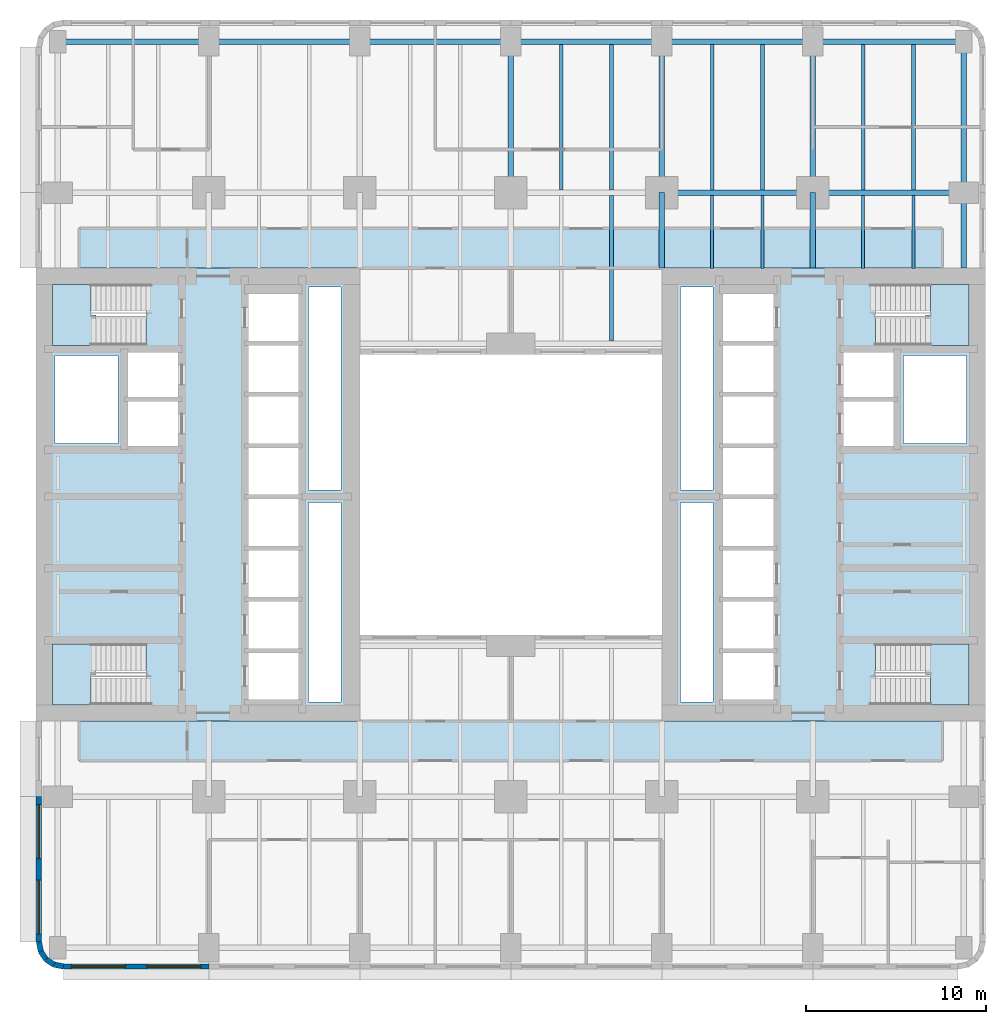
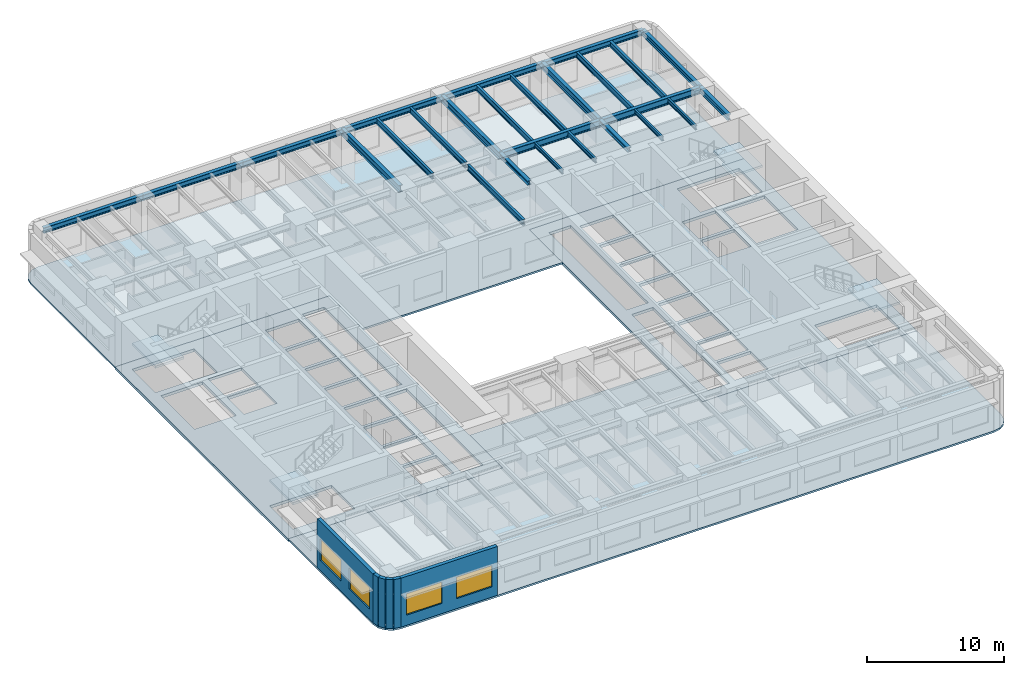
# One storey, part 2 of 14: 26 beams, 8 slabs, 6 walls, 4 windows, 4 openings, 4 elements without a shape of their own.
"""IFC4 building model written with IfcOpenShell, lengths in metres."""

from ifc_helpers import new_model, si_unit, direction, frame, frame_2d, origin, origin_2d, place, context, subcontext, project, spatial, polyline, rectangle, i_section, outline, extrude, material, layer, layer_set, material_profile, profile_set, type_object, element, fill, aggregate, save


model = new_model("IFC4")

# Units and contexts
model_context = context("Model", 3, precision=1e-05, world=origin(), true_north=direction((0.0, 1.0)))
body_context = subcontext(model_context, "Body", "Model", "MODEL_VIEW")
ifc_project = project(units=[si_unit("LENGTHUNIT", "METRE"), si_unit("AREAUNIT", "SQUARE_METRE"), si_unit("VOLUMEUNIT", "CUBIC_METRE"), si_unit("PLANEANGLEUNIT", "RADIAN"), si_unit("MASSUNIT", "GRAM", prefix="KILO")], contexts=[model_context])

# Site, building, storey
site_placement = place(None, origin())
site = spatial("IfcSite", under=ifc_project, at=site_placement, CompositionType="ELEMENT")
building_placement = place(site_placement, origin())
building = spatial("IfcBuilding", under=site, at=building_placement, Name="Claustro Exchange Tower", CompositionType="ELEMENT")
storey_placement = place(building_placement, frame((0.0, 0.0, 54.89990234375)))
storey = spatial("IfcBuildingStorey", under=building, at=storey_placement, Name="L12", CompositionType="ELEMENT", Elevation=54.89990234375)

# Beams
ifc_material_1 = material(Name="Steel S355", Category="steel")
ifc_material_profile_1 = material_profile(ifc_material_1, i_section(OverallWidth=0.300048828125, OverallDepth=0.60009765625, WebThickness=0.015380859375, FlangeThickness=0.030029296875, FilletRadius=0.027099609375, at=origin_2d()), Name="HE 600 B")
ifc_profile_set_1 = profile_set([ifc_material_profile_1], Name="Steel S355")
beam_type_1 = type_object("IfcBeamType", Name="B1 HE 600 B floor girder", PredefinedType="BEAM", material=ifc_profile_set_1)
for number, where, z_axis, x_axis, name in (
    (1, (25.199951171875, 42.0, 4.0400390625), (0.0, 1.0, 0.0), (-1.0, 0.0, 0.0), "Beam B1 L13"),
    (2, (33.60009765625, 42.0, 4.0400390625), (0.0, 1.0, 0.0), (-1.0, 0.0, 0.0), "Beam B1 L13"),
    (3, (42.0, 42.0, 4.0400390625), (0.0, 1.0, 0.0), (-1.0, 0.0, 0.0), "Beam B1 L13"),
    (4, (33.60009765625, 42.0, 4.0400390625), (1.0, 0.0, 0.0), (0.0, 1.0, 0.0), "Beam B1 L13"),
    (5, (42.0, 42.0, 4.0400390625), (1.0, 0.0, 0.0), (0.0, 1.0, 0.0), "Beam B1 L13"),
):
    element("IfcBeam", number, at=place(storey_placement, frame(where, z_axis=z_axis, x_axis=x_axis)), inside=storey, type_object=beam_type_1, Name=name, PredefinedType="BEAM", context=body_context, shape_type="SweptSolid", body=[
        extrude(i_section(OverallWidth=0.300048828125, OverallDepth=0.60009765625, WebThickness=0.015380859375, FlangeThickness=0.030029296875, FilletRadius=0.027099609375, at=origin_2d()), origin(), (0.0, 0.0, 1.0), 8.39990234375),
    ])
ifc_material_2 = material(Name="Steel S355", Category="steel")
ifc_material_profile_2 = material_profile(ifc_material_2, i_section(OverallWidth=0.169921875, OverallDepth=0.360107421875, WebThickness=0.008056640625, FlangeThickness=0.0126953125, FilletRadius=0.01806640625, at=origin_2d()), Name="IPE 360")
ifc_profile_set_2 = profile_set([ifc_material_profile_2], Name="Steel S355")
beam_type_2 = type_object("IfcBeamType", Name="B16 IPE 360 short-span beam", PredefinedType="BEAM", material=ifc_profile_set_2)
for number, where, z_axis, x_axis, name in (
    (6, (36.39990234375, 37.7900390625, 4.16015625), (0.0, 1.0, 0.0), (-1.0, 0.0, 0.0), "Beam B16 L13"),
    (7, (39.199951171875, 37.7900390625, 4.16015625), (0.0, 1.0, 0.0), (-1.0, 0.0, 0.0), "Beam B16 L13"),
    (8, (44.800048828125, 37.7900390625, 4.16015625), (0.0, 1.0, 0.0), (-1.0, 0.0, 0.0), "Beam B16 L13"),
    (9, (47.60009765625, 37.7900390625, 4.16015625), (0.0, 1.0, 0.0), (-1.0, 0.0, 0.0), "Beam B16 L13"),
):
    element("IfcBeam", number, at=place(storey_placement, frame(where, z_axis=z_axis, x_axis=x_axis)), inside=storey, type_object=beam_type_2, Name=name, PredefinedType="BEAM", context=body_context, shape_type="SweptSolid", body=[
        extrude(i_section(OverallWidth=0.169921875, OverallDepth=0.360107421875, WebThickness=0.008056640625, FlangeThickness=0.0126953125, FilletRadius=0.01806640625, at=origin_2d()), origin(), (0.0, 0.0, 1.0), 4.06005859375),
    ])
ifc_material_3 = material(Name="Steel S355", Category="steel")
ifc_material_profile_3 = material_profile(ifc_material_3, i_section(OverallWidth=0.199951171875, OverallDepth=0.5, WebThickness=0.01025390625, FlangeThickness=0.01611328125, FilletRadius=0.02099609375, at=origin_2d()), Name="IPE 500")
ifc_profile_set_3 = profile_set([ifc_material_profile_3], Name="Steel S355")
beam_type_3 = type_object("IfcBeamType", Name="B2 IPE 500 secondary beam", PredefinedType="BEAM", material=ifc_profile_set_3)
for number, where, z_axis, x_axis, name in (
    (10, (30.800048828125, 33.75, 4.090087890625), (0.0, 1.0, 0.0), (-1.0, 0.0, 0.0), "Beam B2 L13"),
    (11, (28.0, 42.14990234375, 4.090087890625), (0.0, 1.0, 0.0), (-1.0, 0.0, 0.0), "Beam B2 L13"),
    (12, (30.800048828125, 42.14990234375, 4.090087890625), (0.0, 1.0, 0.0), (-1.0, 0.0, 0.0), "Beam B2 L13"),
    (13, (36.39990234375, 42.14990234375, 4.090087890625), (0.0, 1.0, 0.0), (-1.0, 0.0, 0.0), "Beam B2 L13"),
    (14, (39.199951171875, 42.14990234375, 4.090087890625), (0.0, 1.0, 0.0), (-1.0, 0.0, 0.0), "Beam B2 L13"),
    (15, (44.800048828125, 42.14990234375, 4.090087890625), (0.0, 1.0, 0.0), (-1.0, 0.0, 0.0), "Beam B2 L13"),
    (16, (47.60009765625, 42.14990234375, 4.090087890625), (0.0, 1.0, 0.0), (-1.0, 0.0, 0.0), "Beam B2 L13"),
):
    element("IfcBeam", number, at=place(storey_placement, frame(where, z_axis=z_axis, x_axis=x_axis)), inside=storey, type_object=beam_type_3, Name=name, PredefinedType="BEAM", context=body_context, shape_type="SweptSolid", body=[
        extrude(i_section(OverallWidth=0.199951171875, OverallDepth=0.5, WebThickness=0.01025390625, FlangeThickness=0.01611328125, FilletRadius=0.02099609375, at=origin_2d()), origin(), (0.0, 0.0, 1.0), 8.10009765625),
    ])
ifc_material_4 = material(Name="Steel S355", Category="steel")
ifc_material_profile_4 = material_profile(ifc_material_4, i_section(OverallWidth=0.300048828125, OverallDepth=0.360107421875, WebThickness=0.012451171875, FlangeThickness=0.0224609375, FilletRadius=0.027099609375, at=origin_2d()), Name="HE 360 B")
ifc_profile_set_4 = profile_set([ifc_material_profile_4], Name="Steel S355")
beam_type_4 = type_object("IfcBeamType", Name="B29 HE 360 B column to core link beam", PredefinedType="BEAM", material=ifc_profile_set_4)
for number, where, z_axis, x_axis, name in (
    (17, (33.60009765625, 37.800048828125, 4.16015625), (0.0, 1.0, 0.0), (-1.0, 0.0, 0.0), "Beam B29 L13"),
    (18, (42.0, 37.800048828125, 4.16015625), (0.0, 1.0, 0.0), (-1.0, 0.0, 0.0), "Beam B29 L13"),
):
    element("IfcBeam", number, at=place(storey_placement, frame(where, z_axis=z_axis, x_axis=x_axis)), inside=storey, type_object=beam_type_4, Name=name, PredefinedType="BEAM", context=body_context, shape_type="SweptSolid", body=[
        extrude(i_section(OverallWidth=0.300048828125, OverallDepth=0.360107421875, WebThickness=0.012451171875, FlangeThickness=0.0224609375, FilletRadius=0.027099609375, at=origin_2d()), origin(), (0.0, 0.0, 1.0), 4.199951171875),
    ])
ifc_material_5 = material(Name="Steel S355", Category="steel")
ifc_material_profile_5 = material_profile(ifc_material_5, i_section(OverallWidth=0.300048828125, OverallDepth=0.5, WebThickness=0.014404296875, FlangeThickness=0.028076171875, FilletRadius=0.027099609375, at=origin_2d()), Name="HE 500 B")
ifc_profile_set_5 = profile_set([ifc_material_profile_5], Name="Steel S355")
beam_type_5 = type_object("IfcBeamType", Name="B3 HE 500 B spandrel edge girder", PredefinedType="SPANDREL", material=ifc_profile_set_5)
beam_1_placement = place(storey_placement, frame((50.39990234375, 37.800048828125, 4.090087890625), z_axis=(0.0, 1.0, 0.0), x_axis=(-1.0, 0.0, 0.0)))
element("IfcBeam", 19, at=beam_1_placement, inside=storey, type_object=beam_type_5, Name="Beam B3 L13", PredefinedType="SPANDREL", context=body_context, shape_type="SweptSolid", body=[
    extrude(i_section(OverallWidth=0.300048828125, OverallDepth=0.5, WebThickness=0.014404296875, FlangeThickness=0.028076171875, FilletRadius=0.027099609375, at=origin_2d()), origin(), (0.0, 0.0, 1.0), 4.199951171875),
])
for number, where, z_axis, x_axis, name in (
    (20, (50.39990234375, 42.0, 4.090087890625), (0.0, 1.0, 0.0), (-1.0, 0.0, 0.0), "Beam B3 L13"),
    (21, (0.0, 50.39990234375, 4.090087890625), (1.0, 0.0, 0.0), (0.0, 1.0, 0.0), "Beam B3 L13"),
):
    element("IfcBeam", number, at=place(storey_placement, frame(where, z_axis=z_axis, x_axis=x_axis)), inside=storey, type_object=beam_type_5, Name=name, PredefinedType="SPANDREL", context=body_context, shape_type="SweptSolid", body=[
        extrude(i_section(OverallWidth=0.300048828125, OverallDepth=0.5, WebThickness=0.014404296875, FlangeThickness=0.028076171875, FilletRadius=0.027099609375, at=origin_2d()), origin(), (0.0, 0.0, 1.0), 8.39990234375),
    ])
beam_2_placement = place(storey_placement, frame((8.39990234375, 50.39990234375, 4.090087890625), z_axis=(1.0, 0.0, 0.0), x_axis=(0.0, 1.0, 0.0)))
element("IfcBeam", 22, at=beam_2_placement, inside=storey, type_object=beam_type_5, Name="Beam B3 L13", PredefinedType="SPANDREL", context=body_context, shape_type="SweptSolid", body=[
    extrude(i_section(OverallWidth=0.300048828125, OverallDepth=0.5, WebThickness=0.014404296875, FlangeThickness=0.028076171875, FilletRadius=0.027099609375, at=origin_2d()), origin(), (0.0, 0.0, 1.0), 8.400146484375),
])
beam_3_placement = place(storey_placement, frame((16.800048828125, 50.39990234375, 4.090087890625), z_axis=(1.0, 0.0, 0.0), x_axis=(0.0, 1.0, 0.0)))
element("IfcBeam", 23, at=beam_3_placement, inside=storey, type_object=beam_type_5, Name="Beam B3 L13", PredefinedType="SPANDREL", context=body_context, shape_type="SweptSolid", body=[
    extrude(i_section(OverallWidth=0.300048828125, OverallDepth=0.5, WebThickness=0.014404296875, FlangeThickness=0.028076171875, FilletRadius=0.027099609375, at=origin_2d()), origin(), (0.0, 0.0, 1.0), 8.39990234375),
])
beam_4_placement = place(storey_placement, frame((25.199951171875, 50.39990234375, 4.090087890625), z_axis=(1.0, 0.0, 0.0), x_axis=(0.0, 1.0, 0.0)))
element("IfcBeam", 24, at=beam_4_placement, inside=storey, type_object=beam_type_5, Name="Beam B3 L13", PredefinedType="SPANDREL", context=body_context, shape_type="SweptSolid", body=[
    extrude(i_section(OverallWidth=0.300048828125, OverallDepth=0.5, WebThickness=0.014404296875, FlangeThickness=0.028076171875, FilletRadius=0.027099609375, at=origin_2d()), origin(), (0.0, 0.0, 1.0), 8.400146484375),
])
for number, where, z_axis, x_axis, name in (
    (25, (33.60009765625, 50.39990234375, 4.090087890625), (1.0, 0.0, 0.0), (0.0, 1.0, 0.0), "Beam B3 L13"),
    (26, (42.0, 50.39990234375, 4.090087890625), (1.0, 0.0, 0.0), (0.0, 1.0, 0.0), "Beam B3 L13"),
):
    element("IfcBeam", number, at=place(storey_placement, frame(where, z_axis=z_axis, x_axis=x_axis)), inside=storey, type_object=beam_type_5, Name=name, PredefinedType="SPANDREL", context=body_context, shape_type="SweptSolid", body=[
        extrude(i_section(OverallWidth=0.300048828125, OverallDepth=0.5, WebThickness=0.014404296875, FlangeThickness=0.028076171875, FilletRadius=0.027099609375, at=origin_2d()), origin(), (0.0, 0.0, 1.0), 8.39990234375),
    ])

# Slabs
ifc_material_6 = material(Name="Concrete HA-50 (C50/60)", Category="concrete")
ifc_layer_1 = layer(ifc_material_6, 0.159912109375)
ifc_layer_set_1 = layer_set([ifc_layer_1], Name="Concrete HA-50 (C50/60)")
slab_type_1 = type_object("IfcSlabType", Name="S1 160 composite floor slab", PredefinedType="FLOOR", material=ifc_layer_set_1)
slab_1_placement = place(storey_placement, frame((0.0, 0.0, -0.159912109375)))
element("IfcSlab", 27, at=slab_1_placement, inside=storey, type_object=slab_type_1, Name="Floor slab S1 S L12", PredefinedType="FLOOR", context=body_context, shape_type="SweptSolid", body=[
    extrude(outline(polyline([(-0.27392578125, -1.085693359375), (0.300048828125, -1.199951171875), (50.10009765625, -1.199951171875), (50.674072265625, -1.085693359375), (51.16064453125, -0.7607421875), (51.48583984375, -0.27392578125), (51.60009765625, 0.300048828125), (51.60009765625, 12.60009765625), (33.60009765625, 12.60009765625), (33.60009765625, 17.39990234375), (16.800048828125, 17.39990234375), (16.800048828125, 12.60009765625), (-1.199951171875, 12.60009765625), (-1.199951171875, 0.300048828125), (-1.085693359375, -0.27392578125), (-0.7607421875, -0.7607421875), (-0.27392578125, -1.085693359375)])), origin(), (0.0, 0.0, 1.0), 0.159912109375),
])
slab_2_placement = place(storey_placement, frame((0.0, 0.0, -0.159912109375)))
element("IfcSlab", 28, at=slab_2_placement, inside=storey, type_object=slab_type_1, Name="Floor slab S1 N L12", PredefinedType="FLOOR", context=body_context, shape_type="SweptSolid", body=[
    extrude(outline(polyline([(16.800048828125, 37.800048828125), (16.800048828125, 33.0), (33.60009765625, 33.0), (33.60009765625, 37.800048828125), (51.60009765625, 37.800048828125), (51.60009765625, 50.10009765625), (51.48583984375, 50.674072265625), (51.16064453125, 51.16064453125), (50.674072265625, 51.48583984375), (50.10009765625, 51.60009765625), (0.300048828125, 51.60009765625), (-0.27392578125, 51.48583984375), (-0.7607421875, 51.16064453125), (-1.085693359375, 50.674072265625), (-1.199951171875, 50.10009765625), (-1.199951171875, 37.800048828125), (16.800048828125, 37.800048828125)])), origin(), (0.0, 0.0, 1.0), 0.159912109375),
])
ifc_material_7 = material(Name="Concrete HA-50 (C50/60)", Category="concrete")
ifc_layer_2 = layer(ifc_material_7, 0.25)
ifc_layer_set_2 = layer_set([ifc_layer_2], Name="Concrete HA-50 (C50/60)")
slab_type_2 = type_object("IfcSlabType", Name="S7 250 core floor slab", PredefinedType="FLOOR", material=ifc_layer_set_2)
slab_3_placement = place(storey_placement, frame((0.0, 0.0, -0.25)))
element("IfcSlab", 29, at=slab_3_placement, inside=storey, type_object=slab_type_2, Name="Core floor slab S7 W core L12", PredefinedType="FLOOR", context=body_context, shape_type="SweptSolid", body=[
    extrude(outline(polyline([(-1.199951171875, 12.60009765625), (16.800048828125, 12.60009765625), (16.800048828125, 37.800048828125), (-1.199951171875, 37.800048828125), (-1.199951171875, 12.60009765625)]), holes=[polyline([(15.75, 24.75), (15.75, 13.64990234375), (13.949951171875, 13.64990234375), (13.949951171875, 24.75), (15.75, 24.75)]), polyline([(15.75, 36.75), (15.75, 25.449951171875), (13.949951171875, 25.449951171875), (13.949951171875, 36.75), (15.75, 36.75)]), polyline([(10.60009765625, 16.39990234375), (13.39990234375, 16.39990234375), (13.39990234375, 13.800048828125), (10.60009765625, 13.800048828125), (10.60009765625, 16.39990234375)]), polyline([(13.39990234375, 19.25), (13.39990234375, 16.64990234375), (10.60009765625, 16.64990234375), (10.60009765625, 19.25), (13.39990234375, 19.25)]), polyline([(13.39990234375, 22.10009765625), (13.39990234375, 19.5), (10.60009765625, 19.5), (10.60009765625, 22.10009765625), (13.39990234375, 22.10009765625)]), polyline([(13.39990234375, 24.949951171875), (13.39990234375, 22.35009765625), (10.60009765625, 22.35009765625), (10.60009765625, 24.949951171875), (13.39990234375, 24.949951171875)]), polyline([(13.39990234375, 27.800048828125), (13.39990234375, 25.199951171875), (10.60009765625, 25.199951171875), (10.60009765625, 27.800048828125), (13.39990234375, 27.800048828125)]), polyline([(13.39990234375, 30.64990234375), (13.39990234375, 28.050048828125), (10.60009765625, 28.050048828125), (10.60009765625, 30.64990234375), (13.39990234375, 30.64990234375)]), polyline([(13.39990234375, 33.5), (13.39990234375, 30.89990234375), (10.60009765625, 30.89990234375), (10.60009765625, 33.5), (13.39990234375, 33.5)]), polyline([(13.39990234375, 36.35009765625), (13.39990234375, 33.75), (10.60009765625, 33.75), (10.60009765625, 36.35009765625), (13.39990234375, 36.35009765625)]), polyline([(6.699951171875, 30.375), (6.699951171875, 27.89990234375), (3.89990234375, 27.89990234375), (3.89990234375, 30.375), (6.699951171875, 30.375)]), polyline([(6.699951171875, 33.10009765625), (6.699951171875, 30.625), (3.89990234375, 30.625), (3.89990234375, 33.10009765625), (6.699951171875, 33.10009765625)]), polyline([(-0.300048828125, 15.199951171875), (-0.300048828125, 16.89990234375), (4.9150390625, 16.89990234375), (4.9150390625, 15.199951171875), (4.919921875, 15.199951171875), (4.919921875, 13.5), (-0.300048828125, 13.5), (-0.300048828125, 15.199951171875)]), polyline([(-0.300048828125, 36.89990234375), (4.919921875, 36.89990234375), (4.919921875, 35.199951171875), (4.9150390625, 35.199951171875), (4.9150390625, 33.5), (-0.300048828125, 33.5), (-0.300048828125, 35.199951171875), (-0.300048828125, 36.89990234375)]), polyline([(3.35009765625, 32.949951171875), (3.35009765625, 28.050048828125), (-0.14990234375, 28.050048828125), (-0.14990234375, 32.949951171875), (3.35009765625, 32.949951171875)])]), origin(), (0.0, 0.0, 1.0), 0.25),
])
slab_4_placement = place(storey_placement, frame((0.0, 0.0, -0.25)))
element("IfcSlab", 30, at=slab_4_placement, inside=storey, type_object=slab_type_2, Name="Core floor slab S7 E core L12", PredefinedType="FLOOR", context=body_context, shape_type="SweptSolid", body=[
    extrude(outline(polyline([(33.60009765625, 12.60009765625), (51.60009765625, 12.60009765625), (51.60009765625, 37.800048828125), (33.60009765625, 37.800048828125), (33.60009765625, 12.60009765625)]), holes=[polyline([(45.47998046875, 35.199951171875), (45.47998046875, 36.89990234375), (50.699951171875, 36.89990234375), (50.699951171875, 35.199951171875), (50.699951171875, 33.5), (45.485107421875, 33.5), (45.485107421875, 35.199951171875), (45.47998046875, 35.199951171875)]), polyline([(45.485107421875, 15.199951171875), (45.485107421875, 16.89990234375), (50.699951171875, 16.89990234375), (50.699951171875, 15.199951171875), (50.699951171875, 13.5), (45.47998046875, 13.5), (45.47998046875, 15.199951171875), (45.485107421875, 15.199951171875)]), polyline([(50.550048828125, 32.949951171875), (50.550048828125, 28.050048828125), (47.050048828125, 28.050048828125), (47.050048828125, 32.949951171875), (50.550048828125, 32.949951171875)]), polyline([(46.5, 30.375), (46.5, 27.89990234375), (43.699951171875, 27.89990234375), (43.699951171875, 30.375), (46.5, 30.375)]), polyline([(46.5, 33.10009765625), (46.5, 30.625), (43.699951171875, 30.625), (43.699951171875, 33.10009765625), (46.5, 33.10009765625)]), polyline([(37.0, 16.39990234375), (39.800048828125, 16.39990234375), (39.800048828125, 13.800048828125), (37.0, 13.800048828125), (37.0, 16.39990234375)]), polyline([(39.800048828125, 19.25), (39.800048828125, 16.64990234375), (37.0, 16.64990234375), (37.0, 19.25), (39.800048828125, 19.25)]), polyline([(39.800048828125, 22.10009765625), (39.800048828125, 19.5), (37.0, 19.5), (37.0, 22.10009765625), (39.800048828125, 22.10009765625)]), polyline([(39.800048828125, 24.949951171875), (39.800048828125, 22.35009765625), (37.0, 22.35009765625), (37.0, 24.949951171875), (39.800048828125, 24.949951171875)]), polyline([(39.800048828125, 27.800048828125), (39.800048828125, 25.199951171875), (37.0, 25.199951171875), (37.0, 27.800048828125), (39.800048828125, 27.800048828125)]), polyline([(39.800048828125, 30.64990234375), (39.800048828125, 28.050048828125), (37.0, 28.050048828125), (37.0, 30.64990234375), (39.800048828125, 30.64990234375)]), polyline([(39.800048828125, 33.5), (39.800048828125, 30.89990234375), (37.0, 30.89990234375), (37.0, 33.5), (39.800048828125, 33.5)]), polyline([(39.800048828125, 36.35009765625), (39.800048828125, 33.75), (37.0, 33.75), (37.0, 36.35009765625), (39.800048828125, 36.35009765625)]), polyline([(36.449951171875, 24.75), (36.449951171875, 13.64990234375), (34.64990234375, 13.64990234375), (34.64990234375, 24.75), (36.449951171875, 24.75)]), polyline([(36.449951171875, 36.75), (36.449951171875, 25.449951171875), (34.64990234375, 25.449951171875), (34.64990234375, 36.75), (36.449951171875, 36.75)])]), origin(), (0.0, 0.0, 1.0), 0.25),
])

# Stair, slab
ifc_material_8 = material(Name="Concrete HA-30 (C30/37), precast", Category="concrete")
stair_type = type_object("IfcStairType", Name="ST2 half-turn stair, 25 risers of 180", PredefinedType="HALF_TURN_STAIR", material=ifc_material_8)
stair_1_placement = place(storey_placement, origin())
stair_1 = element("IfcStair", 31, at=stair_1_placement, inside=storey, type_object=stair_type, Name="Stair STWA L12", PredefinedType="HALF_TURN_STAIR")
ifc_material_9 = material(Name="Concrete HA-30 (C30/37), precast", Category="concrete")
ifc_layer_3 = layer(ifc_material_9, 0.199951171875)
ifc_layer_set_3 = layer_set([ifc_layer_3], Name="Concrete HA-30 (C30/37), precast")
slab_type_3 = type_object("IfcSlabType", Name="S9 200 stair landing", PredefinedType="LANDING", material=ifc_layer_set_3)
slab_5_placement = place(storey_placement, frame((0.0, 0.0, 2.14013671875)))
slab_5 = element("IfcSlab", 32, at=slab_5_placement, type_object=slab_type_3, Name="STWA landing 1", PredefinedType="LANDING", context=body_context, shape_type="SweptSolid", body=[
    extrude(outline(polyline([(1.844970703125, 13.5), (-0.300048828125, 13.5), (-0.300048828125, 16.89990234375), (1.840087890625, 16.89990234375), (1.844970703125, 16.89990234375), (2.1201171875, 16.89990234375), (2.1201171875, 15.199951171875), (1.844970703125, 15.199951171875), (1.844970703125, 13.5)])), origin(), (0.0, 0.0, 1.0), 0.199951171875),
])
aggregate(stair_1, [slab_5])

stair_2_placement = place(storey_placement, origin())
stair_2 = element("IfcStair", 33, at=stair_2_placement, inside=storey, type_object=stair_type, Name="Stair STWB L12", PredefinedType="HALF_TURN_STAIR")
slab_6_placement = place(storey_placement, frame((0.0, 0.0, 2.14013671875)))
slab_6 = element("IfcSlab", 34, at=slab_6_placement, type_object=slab_type_3, Name="STWB landing 1", PredefinedType="LANDING", context=body_context, shape_type="SweptSolid", body=[
    extrude(outline(polyline([(2.1201171875, 35.199951171875), (2.1201171875, 33.5), (1.844970703125, 33.5), (1.840087890625, 33.5), (-0.300048828125, 33.5), (-0.300048828125, 36.89990234375), (1.844970703125, 36.89990234375), (1.844970703125, 35.199951171875), (2.1201171875, 35.199951171875)])), origin(), (0.0, 0.0, 1.0), 0.199951171875),
])
aggregate(stair_2, [slab_6])

stair_3_placement = place(storey_placement, origin())
stair_3 = element("IfcStair", 35, at=stair_3_placement, inside=storey, type_object=stair_type, Name="Stair STEA L12", PredefinedType="HALF_TURN_STAIR")
slab_7_placement = place(storey_placement, frame((0.0, 0.0, 2.14013671875)))
slab_7 = element("IfcSlab", 36, at=slab_7_placement, type_object=slab_type_3, Name="STEA landing 1", PredefinedType="LANDING", context=body_context, shape_type="SweptSolid", body=[
    extrude(outline(polyline([(50.699951171875, 16.89990234375), (50.699951171875, 13.5), (48.554931640625, 13.5), (48.554931640625, 15.199951171875), (48.280029296875, 15.199951171875), (48.280029296875, 16.89990234375), (48.554931640625, 16.89990234375), (48.56005859375, 16.89990234375), (50.699951171875, 16.89990234375)])), origin(), (0.0, 0.0, 1.0), 0.199951171875),
])
aggregate(stair_3, [slab_7])

stair_4_placement = place(storey_placement, origin())
stair_4 = element("IfcStair", 37, at=stair_4_placement, inside=storey, type_object=stair_type, Name="Stair STEB L12", PredefinedType="HALF_TURN_STAIR")
slab_8_placement = place(storey_placement, frame((0.0, 0.0, 2.14013671875)))
slab_8 = element("IfcSlab", 38, at=slab_8_placement, type_object=slab_type_3, Name="STEB landing 1", PredefinedType="LANDING", context=body_context, shape_type="SweptSolid", body=[
    extrude(outline(polyline([(48.280029296875, 33.5), (48.280029296875, 35.199951171875), (48.554931640625, 35.199951171875), (48.554931640625, 36.89990234375), (50.699951171875, 36.89990234375), (50.699951171875, 33.5), (48.56005859375, 33.5), (48.554931640625, 33.5), (48.280029296875, 33.5)])), origin(), (0.0, 0.0, 1.0), 0.199951171875),
])
aggregate(stair_4, [slab_8])

# Wall, openings, windows
ifc_material_10 = material(Name="Concrete HA-40 (C40/50), precast, white cement, acid-etched", Category="concrete")
ifc_layer_4 = layer(ifc_material_10, 0.300048828125)
ifc_layer_set_4 = layer_set([ifc_layer_4], Name="Concrete HA-40 (C40/50), precast, white cement, acid-etched")
wall_type = type_object("IfcWallType", Name="PC1 300 precast concrete pier panel", PredefinedType="SOLIDWALL", material=ifc_layer_set_4)
wall_1_placement = place(storey_placement, frame((8.39990234375, -1.050048828125, 0.0), z_axis=(0.0, 0.0, 1.0), x_axis=(-1.0, 0.0, 0.0)))
wall_1 = element("IfcWall", 39, at=wall_1_placement, inside=storey, type_object=wall_type, Name="Precast pier panel PC1 L12", PredefinedType="SOLIDWALL", context=body_context, shape_type="SweptSolid", body=[
    extrude(rectangle(XDim=8.085205078125, YDim=0.300048828125, at=frame_2d((4.04248046875, 0.0))), origin(), (0.0, 0.0, 1.0), 4.340087890625),
])
opening_1_placement = place(wall_1_placement, frame((0.442626953125, 0.0, 0.89990234375)))
opening_1 = element("IfcOpeningElement", 40, at=opening_1_placement, cuts=wall_1, Name="Opening W1", PredefinedType="OPENING", context=body_context, shape_type="SweptSolid", body=[
    extrude(rectangle(XDim=3.0, YDim=1.89990234375, at=frame_2d((1.5, 0.949951171875))), frame((0.0, 0.159912109375, 0.0), z_axis=(0.0, -1.0, 0.0), x_axis=(1.0, 0.0, 0.0)), (0.0, 0.0, 1.0), 0.320068359375),
])
opening_2_placement = place(wall_1_placement, frame((4.642578125, 0.0, 0.89990234375)))
opening_2 = element("IfcOpeningElement", 41, at=opening_2_placement, cuts=wall_1, Name="Opening W1", PredefinedType="OPENING", context=body_context, shape_type="SweptSolid", body=[
    extrude(rectangle(XDim=3.0, YDim=1.89990234375, at=frame_2d((1.5, 0.949951171875))), frame((0.0, 0.159912109375, 0.0), z_axis=(0.0, -1.0, 0.0), x_axis=(1.0, 0.0, 0.0)), (0.0, 0.0, 1.0), 0.320068359375),
])
ifc_material_11 = material(Name="Aluminium frame, clear double glazing", Category="aluminium")
window_type = type_object("IfcWindowType", Name="W1 3000 x 1900 window", PartitioningType="SINGLE_PANEL", PredefinedType="WINDOW", material=ifc_material_11)
window_1_placement = place(opening_1_placement, origin())
window_1 = element("IfcWindow", 42, at=window_1_placement, inside=storey, type_object=window_type, Name="Window W1 L12", OverallHeight=1.89990234375, OverallWidth=3.0, PartitioningType="SINGLE_PANEL", PredefinedType="WINDOW", context=body_context, shape_type="SweptSolid", body=[
    extrude(rectangle(XDim=3.0, YDim=1.89990234375, at=frame_2d((1.5, 0.949951171875))), frame((0.0, 0.030029296875, 0.0), z_axis=(0.0, -1.0, 0.0), x_axis=(1.0, 0.0, 0.0)), (0.0, 0.0, 1.0), 0.06005859375),
])
fill(opening_1, window_1)
window_2_placement = place(opening_2_placement, origin())
window_2 = element("IfcWindow", 43, at=window_2_placement, inside=storey, type_object=window_type, Name="Window W1 L12", OverallHeight=1.89990234375, OverallWidth=3.0, PartitioningType="SINGLE_PANEL", PredefinedType="WINDOW", context=body_context, shape_type="SweptSolid", body=[
    extrude(rectangle(XDim=3.0, YDim=1.89990234375, at=frame_2d((1.5, 0.949951171875))), frame((0.0, 0.030029296875, 0.0), z_axis=(0.0, -1.0, 0.0), x_axis=(1.0, 0.0, 0.0)), (0.0, 0.0, 1.0), 0.06005859375),
])
fill(opening_2, window_2)

# Walls
wall_2_placement = place(storey_placement, frame((0.314697265625, -1.050048828125, 0.0), z_axis=(0.0, 0.0, 1.0), x_axis=(-0.980788534345, 0.195073962632, 0.0)))
element("IfcWall", 44, at=wall_2_placement, inside=storey, type_object=wall_type, Name="Precast pier panel PC1 L12", PredefinedType="SOLIDWALL", context=body_context, shape_type="SweptSolid", body=[
    extrude(rectangle(XDim=0.540771484375, YDim=0.300048828125, at=frame_2d((0.2705078125, 0.0))), origin(), (0.0, 0.0, 1.0), 4.340087890625),
])
for number, where, z_axis, x_axis, name in (
    (45, (-0.215576171875, -0.944580078125, 0.0), (0.0, 0.0, 1.0), (-0.831478144188, 0.555557463938, 0.0), "Precast pier panel PC1 L12"),
    (46, (-0.652587890625, -0.652587890625, 0.0), (0.0, 0.0, 1.0), (-0.555557463938, 0.831478144188, 0.0), "Precast pier panel PC1 L12"),
):
    element("IfcWall", number, at=place(storey_placement, frame(where, z_axis=z_axis, x_axis=x_axis)), inside=storey, type_object=wall_type, Name=name, PredefinedType="SOLIDWALL", context=body_context, shape_type="SweptSolid", body=[
        extrude(rectangle(XDim=0.525634765625, YDim=0.300048828125, at=frame_2d((0.2626953125, 0.0))), origin(), (0.0, 0.0, 1.0), 4.340087890625),
    ])
wall_3_placement = place(storey_placement, frame((-0.944580078125, -0.215576171875, 0.0), z_axis=(0.0, 0.0, 1.0), x_axis=(-0.195073962632, 0.980788534345, 0.0)))
element("IfcWall", 47, at=wall_3_placement, inside=storey, type_object=wall_type, Name="Precast pier panel PC1 L12", PredefinedType="SOLIDWALL", context=body_context, shape_type="SweptSolid", body=[
    extrude(rectangle(XDim=0.540771484375, YDim=0.300048828125, at=frame_2d((0.2705078125, 0.0))), origin(), (0.0, 0.0, 1.0), 4.340087890625),
])

# Wall, openings, windows
wall_4_placement = place(storey_placement, frame((-1.050048828125, 0.314697265625, 0.0), z_axis=(0.0, 0.0, 1.0), x_axis=(0.0, 1.0, 0.0)))
wall_4 = element("IfcWall", 48, at=wall_4_placement, inside=storey, type_object=wall_type, Name="Precast pier panel PC1 L12", PredefinedType="SOLIDWALL", context=body_context, shape_type="SweptSolid", body=[
    extrude(rectangle(XDim=8.085205078125, YDim=0.300048828125, at=frame_2d((4.04248046875, 0.0))), origin(), (0.0, 0.0, 1.0), 4.340087890625),
])
opening_3_placement = place(wall_4_placement, frame((0.442626953125, 0.0, 0.89990234375)))
opening_3 = element("IfcOpeningElement", 49, at=opening_3_placement, cuts=wall_4, Name="Opening W1", PredefinedType="OPENING", context=body_context, shape_type="SweptSolid", body=[
    extrude(rectangle(XDim=3.0, YDim=1.89990234375, at=frame_2d((1.5, 0.949951171875))), frame((0.0, 0.159912109375, 0.0), z_axis=(0.0, -1.0, 0.0), x_axis=(1.0, 0.0, 0.0)), (0.0, 0.0, 1.0), 0.320068359375),
])
opening_4_placement = place(wall_4_placement, frame((4.642578125, 0.0, 0.89990234375)))
opening_4 = element("IfcOpeningElement", 50, at=opening_4_placement, cuts=wall_4, Name="Opening W1", PredefinedType="OPENING", context=body_context, shape_type="SweptSolid", body=[
    extrude(rectangle(XDim=3.0, YDim=1.89990234375, at=frame_2d((1.5, 0.949951171875))), frame((0.0, 0.159912109375, 0.0), z_axis=(0.0, -1.0, 0.0), x_axis=(1.0, 0.0, 0.0)), (0.0, 0.0, 1.0), 0.320068359375),
])
window_3_placement = place(opening_3_placement, origin())
window_3 = element("IfcWindow", 51, at=window_3_placement, inside=storey, type_object=window_type, Name="Window W1 L12", OverallHeight=1.89990234375, OverallWidth=3.0, PartitioningType="SINGLE_PANEL", PredefinedType="WINDOW", context=body_context, shape_type="SweptSolid", body=[
    extrude(rectangle(XDim=3.0, YDim=1.89990234375, at=frame_2d((1.5, 0.949951171875))), frame((0.0, 0.030029296875, 0.0), z_axis=(0.0, -1.0, 0.0), x_axis=(1.0, 0.0, 0.0)), (0.0, 0.0, 1.0), 0.06005859375),
])
fill(opening_3, window_3)
window_4_placement = place(opening_4_placement, origin())
window_4 = element("IfcWindow", 52, at=window_4_placement, inside=storey, type_object=window_type, Name="Window W1 L12", OverallHeight=1.89990234375, OverallWidth=3.0, PartitioningType="SINGLE_PANEL", PredefinedType="WINDOW", context=body_context, shape_type="SweptSolid", body=[
    extrude(rectangle(XDim=3.0, YDim=1.89990234375, at=frame_2d((1.5, 0.949951171875))), frame((0.0, 0.030029296875, 0.0), z_axis=(0.0, -1.0, 0.0), x_axis=(1.0, 0.0, 0.0)), (0.0, 0.0, 1.0), 0.06005859375),
])
fill(opening_4, window_4)

save(model, "model.ifc")
